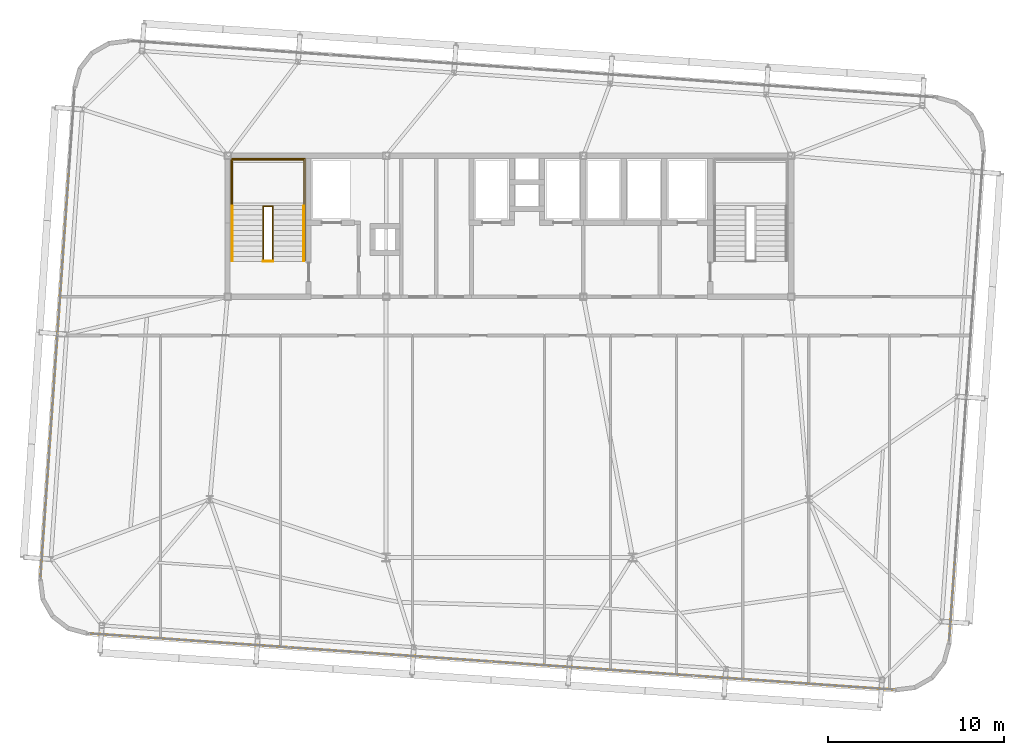
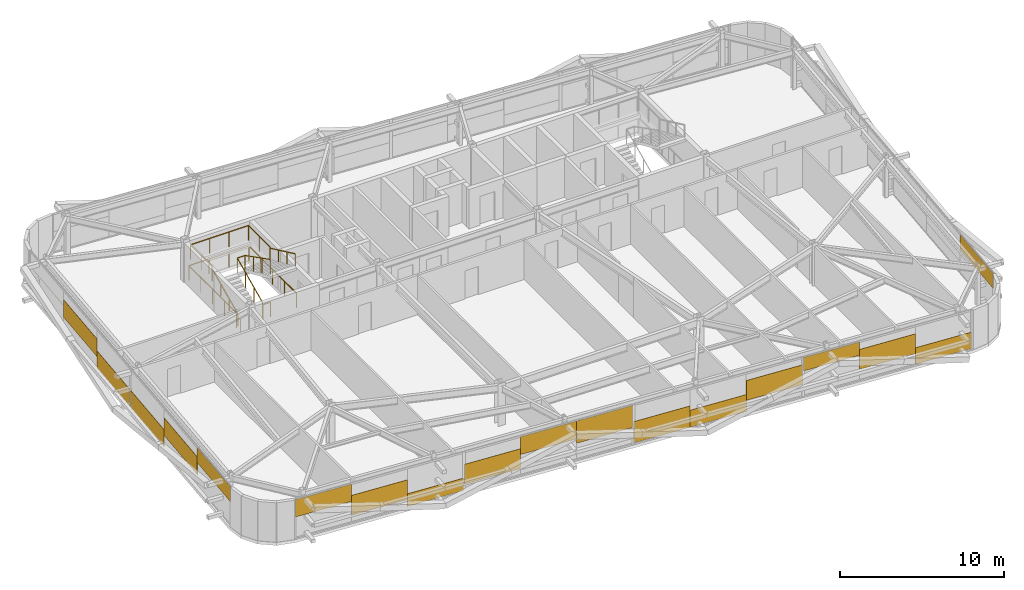
# One storey, part 38 of 39: 18 coverings, 6 railings.
"""IFC4 building model written with IfcOpenShell, lengths in metres."""

from ifc_helpers import new_model, si_unit, direction, frame, origin, origin_2d, place, context, subcontext, project, spatial, rectangle, extrude, source, transform, mapped, material, layer, layer_set, type_object, element, save


model = new_model("IFC4")

# Units and contexts
model_context = context("Model", 3, precision=1e-05, world=origin(), true_north=direction((0.0, 1.0)))
body_context = subcontext(model_context, "Body", "Model", "MODEL_VIEW")
ifc_project = project(units=[si_unit("LENGTHUNIT", "METRE"), si_unit("AREAUNIT", "SQUARE_METRE"), si_unit("VOLUMEUNIT", "CUBIC_METRE"), si_unit("PLANEANGLEUNIT", "RADIAN"), si_unit("MASSUNIT", "GRAM", prefix="KILO")], contexts=[model_context])

# Site, building, storey
site_placement = place(None, origin())
site = spatial("IfcSite", under=ifc_project, at=site_placement, CompositionType="ELEMENT")
building_placement = place(site_placement, origin())
building = spatial("IfcBuilding", under=site, at=building_placement, Name="Taldren Reach Tower", CompositionType="ELEMENT")
storey_placement = place(building_placement, frame((0.0, 0.0, 136.14990234375)))
storey = spatial("IfcBuildingStorey", under=building, at=storey_placement, Name="L41", CompositionType="ELEMENT", Elevation=136.14990234375)

# Railings
ifc_material_1 = material(Name="Steel Gr 350 (C350L0)", Category="steel")
ifc_layer_1 = layer(ifc_material_1, 0.050048828125)
ifc_layer_set_1 = layer_set([ifc_layer_1], Name="Steel Gr 350 (C350L0)")
railing_type_1 = type_object("IfcRailingType", Name="RL-STAIR-GR", PredefinedType="GUARDRAIL", material=ifc_layer_set_1)
railing_1_placement = place(storey_placement, frame((19.260009765625, 29.135009765625, 1.5751953125)))
element("IfcRailing", 1, at=railing_1_placement, inside=storey, type_object=railing_type_1, Name="Stair half-landing perimeter guard ST1-L41", PredefinedType="GUARDRAIL", context=body_context, shape_type="SweptSolid", body=[
    extrude(rectangle(XDim=0.047852, YDim=0.047852, at=origin_2d()), frame((0.0, 0.0, 1.09619140625), z_axis=(0.0, 1.0, 0.0), x_axis=(-1.0, 0.0, 0.0)), (0.0, 0.0, 1.0), 2.64501953125),
    extrude(rectangle(XDim=0.047852, YDim=0.047852, at=origin_2d()), frame((0.0, 2.64501953125, 1.09619140625), z_axis=(1.0, 0.0, 0.0), x_axis=(0.0, 1.0, 0.0)), (0.0, 0.0, 1.0), 4.080078125),
    extrude(rectangle(XDim=0.047852, YDim=0.047852, at=origin_2d()), frame((4.080078125, 2.64501953125, 1.09619140625), z_axis=(0.0, -1.0, 0.0), x_axis=(1.0, 0.0, 0.0)), (0.0, 0.0, 1.0), 2.64501953125),
    extrude(rectangle(XDim=0.041992, YDim=0.041992, at=origin_2d()), origin(), (0.0, 0.0, 1.0), 1.072021484375),
    extrude(rectangle(XDim=0.041992, YDim=0.041992, at=origin_2d()), frame((0.0, 1.322509765625, 0.0)), (0.0, 0.0, 1.0), 1.072021484375),
    extrude(rectangle(XDim=0.041992, YDim=0.041992, at=origin_2d()), frame((0.0, 2.64501953125, 0.0)), (0.0, 0.0, 1.0), 1.072021484375),
    extrude(rectangle(XDim=0.041992, YDim=0.041992, at=origin_2d()), frame((1.360107421875, 2.64501953125, 0.0)), (0.0, 0.0, 1.0), 1.072021484375),
    extrude(rectangle(XDim=0.041992, YDim=0.041992, at=origin_2d()), frame((2.719970703125, 2.64501953125, 0.0)), (0.0, 0.0, 1.0), 1.072021484375),
    extrude(rectangle(XDim=0.041992, YDim=0.041992, at=origin_2d()), frame((4.080078125, 2.64501953125, 0.0)), (0.0, 0.0, 1.0), 1.072021484375),
    extrude(rectangle(XDim=0.041992, YDim=0.041992, at=origin_2d()), frame((4.080078125, 1.322509765625, 0.0)), (0.0, 0.0, 1.0), 1.072021484375),
    extrude(rectangle(XDim=0.041992, YDim=0.041992, at=origin_2d()), frame((4.080078125, 0.0, 0.0)), (0.0, 0.0, 1.0), 1.072021484375),
])
railing_2_placement = place(storey_placement, frame((21.030029296875, 26.050048828125, 0.13134765625)))
element("IfcRailing", 2, at=railing_2_placement, inside=storey, type_object=railing_type_1, Name="Stairwell inner guard ST1-L41", PredefinedType="GUARDRAIL", context=body_context, shape_type="SweptSolid", body=[
    extrude(rectangle(XDim=0.047852, YDim=0.047852, at=origin_2d()), frame((0.0, 0.0, 1.09619140625), z_axis=(0.0, 0.905710134349, 0.423897573167), x_axis=(-1.0, 0.0, 0.0)), (0.0, 0.0, 1.0), 3.406005859375),
    extrude(rectangle(XDim=0.047852, YDim=0.047852, at=origin_2d()), frame((0.0, 3.0849609375, 2.5400390625), z_axis=(1.0, 0.0, 0.0), x_axis=(0.0, 1.0, 0.0)), (0.0, 0.0, 1.0), 0.5400390625),
    extrude(rectangle(XDim=0.047852, YDim=0.047852, at=origin_2d()), frame((0.5400390625, 3.0849609375, 2.5400390625), z_axis=(0.0, -0.890645957773, 0.45469745755), x_axis=(1.0, 0.0, 0.0)), (0.0, 0.0, 1.0), 3.463623046875),
    extrude(rectangle(XDim=0.041992, YDim=0.041992, at=origin_2d()), origin(), (0.0, 0.0, 1.0), 1.072021484375),
    extrude(rectangle(XDim=0.041992, YDim=0.041992, at=origin_2d()), frame((0.0, 1.0283203125, 0.481201171875)), (0.0, 0.0, 1.0), 1.072021484375),
    extrude(rectangle(XDim=0.041992, YDim=0.041992, at=origin_2d()), frame((0.0, 2.056640625, 0.962646484375)), (0.0, 0.0, 1.0), 1.072021484375),
    extrude(rectangle(XDim=0.041992, YDim=0.041992, at=origin_2d()), frame((0.0, 3.0849609375, 1.44384765625)), (0.0, 0.0, 1.0), 1.072021484375),
    extrude(rectangle(XDim=0.041992, YDim=0.041992, at=origin_2d()), frame((0.5400390625, 3.0849609375, 1.44384765625)), (0.0, 0.0, 1.0), 1.072021484375),
    extrude(rectangle(XDim=0.041992, YDim=0.041992, at=origin_2d()), frame((0.5400390625, 2.056640625, 1.96875)), (0.0, 0.0, 1.0), 1.072021484375),
    extrude(rectangle(XDim=0.041992, YDim=0.041992, at=origin_2d()), frame((0.5400390625, 1.0283203125, 2.493896484375)), (0.0, 0.0, 1.0), 1.072021484375),
    extrude(rectangle(XDim=0.041992, YDim=0.041992, at=origin_2d()), frame((0.5400390625, 0.0, 3.018798828125)), (0.0, 0.0, 1.0), 1.072021484375),
])
railing_3_placement = place(storey_placement, frame((21.030029296875, 26.010009765625, 0.0)))
element("IfcRailing", 3, at=railing_3_placement, inside=storey, type_object=railing_type_1, Name="Stairwell landing slot guard ST1-L41", PredefinedType="GUARDRAIL", context=body_context, shape_type="SweptSolid", body=[
    extrude(rectangle(XDim=0.047852, YDim=0.047852, at=origin_2d()), frame((0.0, 0.0, 1.09619140625), z_axis=(1.0, 0.0, 0.0), x_axis=(0.0, 1.0, 0.0)), (0.0, 0.0, 1.0), 0.5400390625),
    extrude(rectangle(XDim=0.041992, YDim=0.041992, at=origin_2d()), origin(), (0.0, 0.0, 1.0), 1.072021484375),
    extrude(rectangle(XDim=0.041992, YDim=0.041992, at=origin_2d()), frame((0.5400390625, 0.0, 0.0)), (0.0, 0.0, 1.0), 1.072021484375),
])
railing_4_placement = place(storey_placement, frame((19.18994140625, 26.050048828125, 0.0)))
element("IfcRailing", 4, at=railing_4_placement, inside=storey, type_object=railing_type_1, Name="Stairwell floor opening guard ST1-L41", PredefinedType="GUARDRAIL", context=body_context, shape_type="SweptSolid", body=[
    extrude(rectangle(XDim=0.047852, YDim=0.047852, at=origin_2d()), frame((0.0, 0.0, 1.09619140625), z_axis=(0.0, 1.0, 0.0), x_axis=(-1.0, 0.0, 0.0)), (0.0, 0.0, 1.0), 5.800048828125),
    extrude(rectangle(XDim=0.047852, YDim=0.047852, at=origin_2d()), frame((0.0, 5.800048828125, 1.09619140625), z_axis=(1.0, 0.0, 0.0), x_axis=(0.0, 1.0, 0.0)), (0.0, 0.0, 1.0), 4.219970703125),
    extrude(rectangle(XDim=0.047852, YDim=0.047852, at=origin_2d()), frame((4.219970703125, 5.800048828125, 1.09619140625), z_axis=(0.0, -1.0, 0.0), x_axis=(1.0, 0.0, 0.0)), (0.0, 0.0, 1.0), 5.800048828125),
    extrude(rectangle(XDim=0.041992, YDim=0.041992, at=origin_2d()), origin(), (0.0, 0.0, 1.0), 1.072021484375),
    extrude(rectangle(XDim=0.041992, YDim=0.041992, at=origin_2d()), frame((0.0, 1.449951171875, 0.0)), (0.0, 0.0, 1.0), 1.072021484375),
    extrude(rectangle(XDim=0.041992, YDim=0.041992, at=origin_2d()), frame((0.0, 2.89990234375, 0.0)), (0.0, 0.0, 1.0), 1.072021484375),
    extrude(rectangle(XDim=0.041992, YDim=0.041992, at=origin_2d()), frame((0.0, 4.35009765625, 0.0)), (0.0, 0.0, 1.0), 1.072021484375),
    extrude(rectangle(XDim=0.041992, YDim=0.041992, at=origin_2d()), frame((0.0, 5.800048828125, 0.0)), (0.0, 0.0, 1.0), 1.072021484375),
    extrude(rectangle(XDim=0.041992, YDim=0.041992, at=origin_2d()), frame((1.40673828125, 5.800048828125, 0.0)), (0.0, 0.0, 1.0), 1.072021484375),
    extrude(rectangle(XDim=0.041992, YDim=0.041992, at=origin_2d()), frame((2.813232421875, 5.800048828125, 0.0)), (0.0, 0.0, 1.0), 1.072021484375),
    extrude(rectangle(XDim=0.041992, YDim=0.041992, at=origin_2d()), frame((4.219970703125, 5.800048828125, 0.0)), (0.0, 0.0, 1.0), 1.072021484375),
    extrude(rectangle(XDim=0.041992, YDim=0.041992, at=origin_2d()), frame((4.219970703125, 4.35009765625, 0.0)), (0.0, 0.0, 1.0), 1.072021484375),
    extrude(rectangle(XDim=0.041992, YDim=0.041992, at=origin_2d()), frame((4.219970703125, 2.89990234375, 0.0)), (0.0, 0.0, 1.0), 1.072021484375),
    extrude(rectangle(XDim=0.041992, YDim=0.041992, at=origin_2d()), frame((4.219970703125, 1.449951171875, 0.0)), (0.0, 0.0, 1.0), 1.072021484375),
    extrude(rectangle(XDim=0.041992, YDim=0.041992, at=origin_2d()), frame((4.219970703125, 0.0, 0.0)), (0.0, 0.0, 1.0), 1.072021484375),
])
ifc_material_2 = material(Name="Stainless Steel Gr 316", Category="steel")
ifc_layer_2 = layer(ifc_material_2, 0.048095703125)
ifc_layer_set_2 = layer_set([ifc_layer_2], Name="Stainless Steel Gr 316")
railing_type_2 = type_object("IfcRailingType", Name="RL-STAIR-HR", PredefinedType="HANDRAIL", material=ifc_layer_set_2)
railing_5_placement = place(storey_placement, frame((19.27001953125, 26.050048828125, 0.13134765625)))
element("IfcRailing", 5, at=railing_5_placement, inside=storey, type_object=railing_type_2, Name="Stair flight handrail ST1-L41-1", PredefinedType="HANDRAIL", context=body_context, shape_type="SweptSolid", body=[
    extrude(rectangle(XDim=0.047852, YDim=0.047852, at=origin_2d()), frame((0.0, 0.0, 0.89599609375), z_axis=(0.0, 0.905710134349, 0.423897573167), x_axis=(-1.0, 0.0, 0.0)), (0.0, 0.0, 1.0), 3.406005859375),
    extrude(rectangle(XDim=0.041992, YDim=0.041992, at=origin_2d()), origin(), (0.0, 0.0, 1.0), 0.871826171875),
    extrude(rectangle(XDim=0.041992, YDim=0.041992, at=origin_2d()), frame((0.0, 1.0283203125, 0.481201171875)), (0.0, 0.0, 1.0), 0.871826171875),
    extrude(rectangle(XDim=0.041992, YDim=0.041992, at=origin_2d()), frame((0.0, 2.056640625, 0.962646484375)), (0.0, 0.0, 1.0), 0.871826171875),
    extrude(rectangle(XDim=0.041992, YDim=0.041992, at=origin_2d()), frame((0.0, 3.0849609375, 1.44384765625)), (0.0, 0.0, 1.0), 0.871826171875),
])
railing_6_placement = place(storey_placement, frame((23.330078125, 29.135009765625, 1.706298828125)))
element("IfcRailing", 6, at=railing_6_placement, inside=storey, type_object=railing_type_2, Name="Stair flight handrail ST1-L41-2", PredefinedType="HANDRAIL", context=body_context, shape_type="SweptSolid", body=[
    extrude(rectangle(XDim=0.047852, YDim=0.047852, at=origin_2d()), frame((0.0, 0.0, 0.89599609375), z_axis=(0.0, -0.905710134349, 0.423897573167), x_axis=(1.0, 0.0, 0.0)), (0.0, 0.0, 1.0), 3.406005859375),
    extrude(rectangle(XDim=0.041992, YDim=0.041992, at=origin_2d()), origin(), (0.0, 0.0, 1.0), 0.871826171875),
    extrude(rectangle(XDim=0.041992, YDim=0.041992, at=origin_2d()), frame((0.0, -1.0283203125, 0.481201171875)), (0.0, 0.0, 1.0), 0.871826171875),
    extrude(rectangle(XDim=0.041992, YDim=0.041992, at=origin_2d()), frame((0.0, -2.056640625, 0.962646484375)), (0.0, 0.0, 1.0), 0.871826171875),
    extrude(rectangle(XDim=0.041992, YDim=0.041992, at=origin_2d()), frame((0.0, -3.0849609375, 1.44384765625)), (0.0, 0.0, 1.0), 0.871826171875),
])

# Coverings
ifc_material_3 = material(Name="Pale Champagne Fluoropolymer Aluminium Spandrel Cladding", Category="aluminium")
ifc_layer_3 = layer(ifc_material_3, 0.0439453125)
ifc_layer_set_3 = layer_set([ifc_layer_3], Name="Pale Champagne Fluoropolymer Aluminium Spandrel Cladding")
covering_type = type_object("IfcCoveringType", Name="CV-CLAD-044", PredefinedType="CLADDING", material=ifc_layer_set_3)
shared_shape_1 = source(origin(), body_context, "Body", "SweptSolid", [
    extrude(rectangle(XDim=3.79833984375, YDim=0.0439453125, at=origin_2d()), origin(), (0.0, 0.0, 1.0), 1.22216796875),
])
covering_1_placement = place(storey_placement, frame((54.95361328125, 1.81396484375, 0.05517578125), z_axis=(0.0, 0.0, 1.0), x_axis=(0.99756404731, -0.06975651593, 0.0)))
element("IfcCovering", 7, at=covering_1_placement, inside=storey, type_object=covering_type, Name="Diagrid closure cladding strip CW-4 panel 4.1 3", PredefinedType="CLADDING", context=body_context, shape_type="MappedRepresentation", body=[
    mapped(shared_shape_1, transform((0.0, 0.0, 0.0), scale=1.0)),
])
shared_shape_2 = source(origin(), body_context, "Body", "SweptSolid", [
    extrude(rectangle(XDim=3.79833984375, YDim=0.0439453125, at=origin_2d()), origin(), (0.0, 0.0, 1.0), 1.474365234375),
])
for number, where, z_axis, x_axis, name in (
    (8, (16.783447265625, 4.483154296875, 0.5537109375), (0.0, 0.0, 1.0), (0.99756404731, -0.06975651593, 0.0), "Diagrid closure cladding strip CW-4 panel 1.1 2"),
    (9, (51.16455078125, 2.0791015625, 0.84228515625), (0.0, 0.0, 1.0), (0.99756404731, -0.06975651593, 0.0), "Diagrid closure cladding strip CW-4 panel 4.1 2"),
):
    element("IfcCovering", number, at=place(storey_placement, frame(where, z_axis=z_axis, x_axis=x_axis)), inside=storey, type_object=covering_type, Name=name, PredefinedType="CLADDING", context=body_context, shape_type="MappedRepresentation", body=[
        mapped(shared_shape_2, transform((0.0, 0.0, 0.0), scale=1.0)),
    ])
shared_shape_3 = source(origin(), body_context, "Body", "SweptSolid", [
    extrude(rectangle(XDim=3.79833984375, YDim=0.0439453125, at=origin_2d()), origin(), (0.0, 0.0, 1.0), 0.993408203125),
])
covering_2_placement = place(storey_placement, frame((47.375244140625, 2.343994140625, 1.8818359375), z_axis=(0.0, 0.0, 1.0), x_axis=(0.99756404731, -0.06975651593, 0.0)))
element("IfcCovering", 10, at=covering_2_placement, inside=storey, type_object=covering_type, Name="Diagrid closure cladding strip CW-4 panel 4.1 1", PredefinedType="CLADDING", context=body_context, shape_type="MappedRepresentation", body=[
    mapped(shared_shape_3, transform((0.0, 0.0, 0.0), scale=1.0)),
])
shared_shape_4 = source(origin(), body_context, "Body", "SweptSolid", [
    extrude(rectangle(XDim=3.81005859375, YDim=0.0439453125, at=origin_2d()), origin(), (0.0, 0.0, 1.0), 1.477783203125),
])
for number, where, z_axis, x_axis, name in (
    (11, (24.437255859375, 3.947998046875, 0.51025390625), (0.0, 0.0, 1.0), (0.99756404731, -0.06975651593, 0.0), "Diagrid closure cladding strip CW-4 panel 2.1 1"),
    (12, (43.510498046875, 2.6142578125, 0.88232421875), (0.0, 0.0, 1.0), (0.99756404731, -0.06975651593, 0.0), "Diagrid closure cladding strip CW-4 panel 3.1 3"),
):
    element("IfcCovering", number, at=place(storey_placement, frame(where, z_axis=z_axis, x_axis=x_axis)), inside=storey, type_object=covering_type, Name=name, PredefinedType="CLADDING", context=body_context, shape_type="MappedRepresentation", body=[
        mapped(shared_shape_4, transform((0.0, 0.0, 0.0), scale=1.0)),
    ])
shared_shape_5 = source(origin(), body_context, "Body", "SweptSolid", [
    extrude(rectangle(XDim=3.81005859375, YDim=0.0439453125, at=origin_2d()), origin(), (0.0, 0.0, 1.0), 1.26220703125),
])
covering_3_placement = place(storey_placement, frame((39.7099609375, 2.8798828125, 0.05517578125), z_axis=(0.0, 0.0, 1.0), x_axis=(0.99756404731, -0.06975651593, 0.0)))
element("IfcCovering", 13, at=covering_3_placement, inside=storey, type_object=covering_type, Name="Diagrid closure cladding strip CW-4 panel 3.1 2", PredefinedType="CLADDING", context=body_context, shape_type="MappedRepresentation", body=[
    mapped(shared_shape_5, transform((0.0, 0.0, 0.0), scale=1.0)),
])
shared_shape_6 = source(origin(), body_context, "Body", "SweptSolid", [
    extrude(rectangle(XDim=3.81005859375, YDim=0.0439453125, at=origin_2d()), origin(), (0.0, 0.0, 1.0), 1.587890625),
])
covering_4_placement = place(storey_placement, frame((35.9091796875, 3.145751953125, 0.05517578125), z_axis=(0.0, 0.0, 1.0), x_axis=(0.99756404731, -0.06975651593, 0.0)))
element("IfcCovering", 14, at=covering_4_placement, inside=storey, type_object=covering_type, Name="Diagrid closure cladding strip CW-4 panel 3.1 1", PredefinedType="CLADDING", context=body_context, shape_type="MappedRepresentation", body=[
    mapped(shared_shape_6, transform((0.0, 0.0, 0.0), scale=1.0)),
])
shared_shape_7 = source(origin(), body_context, "Body", "SweptSolid", [
    extrude(rectangle(XDim=3.81005859375, YDim=0.0439453125, at=origin_2d()), origin(), (0.0, 0.0, 1.0), 1.64794921875),
])
covering_5_placement = place(storey_placement, frame((32.03857421875, 3.41650390625, 1.22705078125), z_axis=(0.0, 0.0, 1.0), x_axis=(0.99756404731, -0.06975651593, 0.0)))
element("IfcCovering", 15, at=covering_5_placement, inside=storey, type_object=covering_type, Name="Diagrid closure cladding strip CW-4 panel 2.1 3", PredefinedType="CLADDING", context=body_context, shape_type="MappedRepresentation", body=[
    mapped(shared_shape_7, transform((0.0, 0.0, 0.0), scale=1.0)),
])
shared_shape_8 = source(origin(), body_context, "Body", "SweptSolid", [
    extrude(rectangle(XDim=3.81005859375, YDim=0.0439453125, at=origin_2d()), origin(), (0.0, 0.0, 1.0), 1.322265625),
])
covering_6_placement = place(storey_placement, frame((28.23779296875, 3.68212890625, 1.552734375), z_axis=(0.0, 0.0, 1.0), x_axis=(0.99756404731, -0.06975651593, 0.0)))
element("IfcCovering", 16, at=covering_6_placement, inside=storey, type_object=covering_type, Name="Diagrid closure cladding strip CW-4 panel 2.1 2", PredefinedType="CLADDING", context=body_context, shape_type="MappedRepresentation", body=[
    mapped(shared_shape_8, transform((0.0, 0.0, 0.0), scale=1.0)),
])
shared_shape_9 = source(origin(), body_context, "Body", "SweptSolid", [
    extrude(rectangle(XDim=3.79833984375, YDim=0.0439453125, at=origin_2d()), origin(), (0.0, 0.0, 1.0), 0.93359375),
])
covering_7_placement = place(storey_placement, frame((20.572509765625, 4.21826171875, 0.054931640625), z_axis=(0.0, 0.0, 1.0), x_axis=(0.99756404731, -0.06975651593, 0.0)))
element("IfcCovering", 17, at=covering_7_placement, inside=storey, type_object=covering_type, Name="Diagrid closure cladding strip CW-4 panel 1.1 3", PredefinedType="CLADDING", context=body_context, shape_type="MappedRepresentation", body=[
    mapped(shared_shape_9, transform((0.0, 0.0, 0.0), scale=1.0)),
])
shared_shape_10 = source(origin(), body_context, "Body", "SweptSolid", [
    extrude(rectangle(XDim=3.79833984375, YDim=0.0439453125, at=origin_2d()), origin(), (0.0, 0.0, 1.0), 1.2822265625),
])
covering_8_placement = place(storey_placement, frame((12.994384765625, 4.748046875, 1.5927734375), z_axis=(0.0, 0.0, 1.0), x_axis=(0.99756404731, -0.06975651593, 0.0)))
element("IfcCovering", 18, at=covering_8_placement, inside=storey, type_object=covering_type, Name="Diagrid closure cladding strip CW-4 panel 1.1 1", PredefinedType="CLADDING", context=body_context, shape_type="MappedRepresentation", body=[
    mapped(shared_shape_10, transform((0.0, 0.0, 0.0), scale=1.0)),
])
shared_shape_11 = source(origin(), body_context, "Body", "SweptSolid", [
    extrude(rectangle(XDim=4.631591796875, YDim=0.0439453125, at=origin_2d()), origin(), (0.0, 0.0, 1.0), 1.306640625),
])
for number, where, z_axis, x_axis, name in (
    (19, (9.840087890625, 28.869384765625, 0.892333984375), (0.0, 0.0, 1.0), (-0.069756437251, -0.997564052812, 0.0), "Diagrid closure cladding strip CW-4 panel 1.1 2"),
    (20, (8.865966796875, 14.9384765625, 0.892333984375), (0.0, 0.0, 1.0), (-0.069756437251, -0.997564052812, 0.0), "Diagrid closure cladding strip CW-4 panel 2.1 2"),
):
    element("IfcCovering", number, at=place(storey_placement, frame(where, z_axis=z_axis, x_axis=x_axis)), inside=storey, type_object=covering_type, Name=name, PredefinedType="CLADDING", context=body_context, shape_type="MappedRepresentation", body=[
        mapped(shared_shape_11, transform((0.0, 0.0, 0.0), scale=1.0)),
    ])
shared_shape_12 = source(origin(), body_context, "Body", "SweptSolid", [
    extrude(rectangle(XDim=4.631591796875, YDim=0.0439453125, at=origin_2d()), origin(), (0.0, 0.0, 1.0), 1.103515625),
])
for number, where, z_axis, x_axis, name in (
    (21, (8.542724609375, 10.318115234375, 1.771728515625), (0.0, 0.0, 1.0), (-0.069756437251, -0.997564052812, 0.0), "Diagrid closure cladding strip CW-4 panel 2.1 3"),
    (22, (60.136962890625, 6.710205078125, 1.771728515625), (0.0, 0.0, 1.0), (0.069756437251, 0.997564052812, 0.0), "Diagrid closure cladding strip CW-4 panel 1.1 1"),
):
    element("IfcCovering", number, at=place(storey_placement, frame(where, z_axis=z_axis, x_axis=x_axis)), inside=storey, type_object=covering_type, Name=name, PredefinedType="CLADDING", context=body_context, shape_type="MappedRepresentation", body=[
        mapped(shared_shape_12, transform((0.0, 0.0, 0.0), scale=1.0)),
    ])
shared_shape_13 = source(origin(), body_context, "Body", "SweptSolid", [
    extrude(rectangle(XDim=4.631591796875, YDim=0.0439453125, at=origin_2d()), origin(), (0.0, 0.0, 1.0), 1.2646484375),
])
for number, where, z_axis, x_axis, name in (
    (23, (9.51708984375, 24.2490234375, 0.05517578125), (0.0, 0.0, 1.0), (-0.069756437251, -0.997564052812, 0.0), "Diagrid closure cladding strip CW-4 panel 1.1 3"),
    (24, (9.18896484375, 19.558837890625, 0.05517578125), (0.0, 0.0, 1.0), (-0.069756437251, -0.997564052812, 0.0), "Diagrid closure cladding strip CW-4 panel 2.1 1"),
):
    element("IfcCovering", number, at=place(storey_placement, frame(where, z_axis=z_axis, x_axis=x_axis)), inside=storey, type_object=covering_type, Name=name, PredefinedType="CLADDING", context=body_context, shape_type="MappedRepresentation", body=[
        mapped(shared_shape_13, transform((0.0, 0.0, 0.0), scale=1.0)),
    ])

save(model, "model.ifc")
